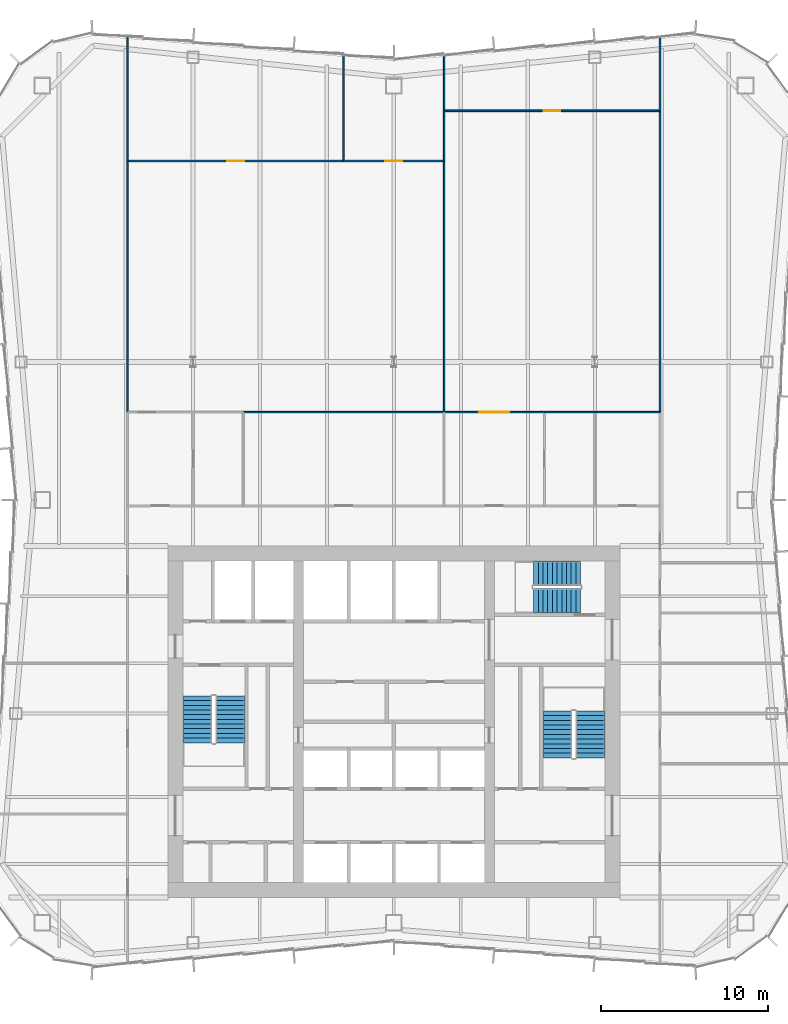
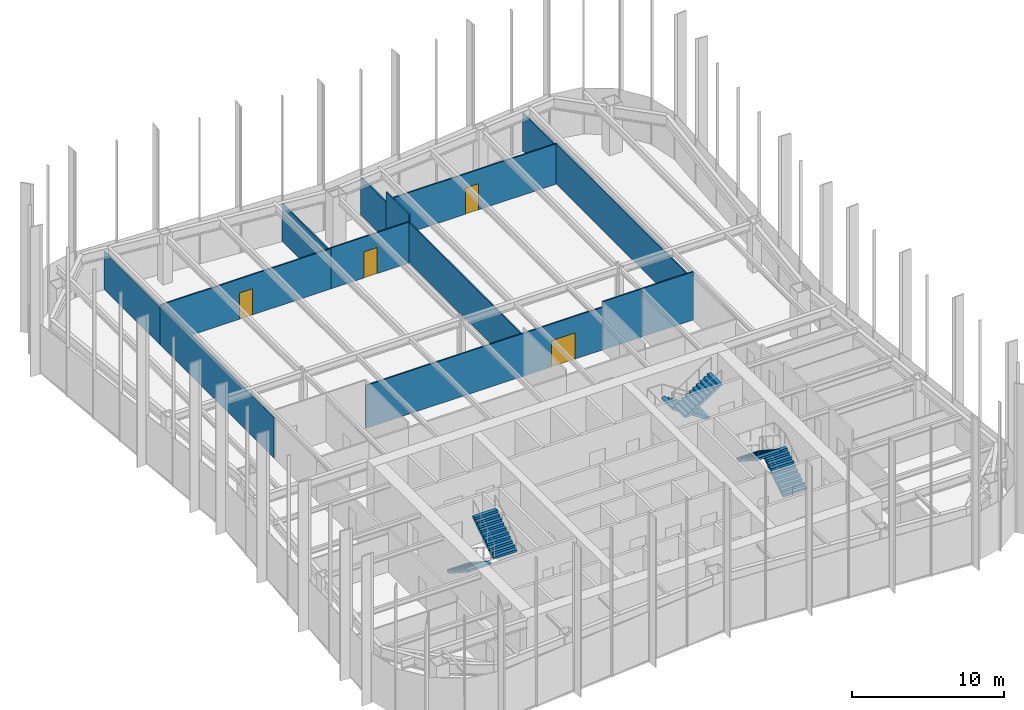
# One storey, part 12 of 13: 15 walls, 6 stair flights, 4 doors, 4 openings, 3 elements without a shape of their own.
"""IFC4 building model written with IfcOpenShell, lengths in metres."""

from ifc_helpers import new_model, si_unit, direction, frame, frame_2d, origin, place, context, subcontext, project, spatial, polyline, rectangle, outline, extrude, material, layer, layer_set, type_object, element, fill, aggregate, save


model = new_model("IFC4")

# Units and contexts
model_context = context("Model", 3, precision=1e-05, world=origin(), true_north=direction((0.0, 1.0)))
body_context = subcontext(model_context, "Body", "Model", "MODEL_VIEW")
ifc_project = project(units=[si_unit("LENGTHUNIT", "METRE"), si_unit("AREAUNIT", "SQUARE_METRE"), si_unit("VOLUMEUNIT", "CUBIC_METRE"), si_unit("PLANEANGLEUNIT", "RADIAN"), si_unit("MASSUNIT", "GRAM", prefix="KILO")], contexts=[model_context])

# Site, building, storey
site_placement = place(None, origin())
site = spatial("IfcSite", under=ifc_project, at=site_placement, CompositionType="ELEMENT")
building_placement = place(site_placement, origin())
building = spatial("IfcBuilding", under=site, at=building_placement, Name="Verdant Reach Tower", CompositionType="ELEMENT")
storey_placement = place(building_placement, frame((0.0, 0.0, 206.0)))
storey = spatial("IfcBuildingStorey", under=building, at=storey_placement, Name="L47", CompositionType="ELEMENT", Elevation=206.0)

# Wall
ifc_material_1 = material(Name="Gypsum board on steel studs", Category="steel")
ifc_layer = layer(ifc_material_1, 0.10009765625)
ifc_layer_set = layer_set([ifc_layer], Name="FL-W1 Partition 100")
wall_type = type_object("IfcWallType", Name="FL-W1 Partition 100", PredefinedType="PARTITIONING", material=ifc_layer_set)
wall_1_placement = place(storey_placement, frame((3.0, 46.5, 0.0), z_axis=(0.0, 0.0, 1.0), x_axis=(-1.0, 0.0, 0.0)))
element("IfcWall", 1, at=wall_1_placement, inside=storey, type_object=wall_type, Name="Partition 47.21", PredefinedType="PARTITIONING", context=body_context, shape_type="SweptSolid", body=[
    extrude(rectangle(XDim=12.00390625, YDim=0.10009765625, at=frame_2d((6.001953125, 0.0))), origin(), (0.0, 0.0, 1.0), 3.43994140625),
])

# Wall, opening, door
wall_2_placement = place(storey_placement, frame((-15.89990234375, 61.5, 0.0), z_axis=(0.0, 0.0, 1.0), x_axis=(1.0, 0.0, 0.0)))
wall_2 = element("IfcWall", 2, at=wall_2_placement, inside=storey, type_object=wall_type, Name="Partition 47.23", PredefinedType="PARTITIONING", context=body_context, shape_type="SweptSolid", body=[
    extrude(rectangle(XDim=12.89990234375, YDim=0.10009765625, at=frame_2d((6.449951171875, 0.0))), origin(), (0.0, 0.0, 1.0), 3.239990234375),
])
opening_1_placement = place(wall_2_placement, frame((5.949951171875, 0.0, 0.0)))
opening_1 = element("IfcOpeningElement", 3, at=opening_1_placement, cuts=wall_2, Name="Opening D3", PredefinedType="OPENING", context=body_context, shape_type="SweptSolid", body=[
    extrude(rectangle(XDim=1.0, YDim=2.10009765625, at=frame_2d((0.5, 1.050048828125))), frame((0.0, 0.06005859375, 0.0), z_axis=(0.0, -1.0, 0.0), x_axis=(1.0, 0.0, 0.0)), (0.0, 0.0, 1.0), 0.1201171875),
])
ifc_material_2 = material(Name="Painted timber door leaf", Category="wood")
door_type_1 = type_object("IfcDoorType", Name="FL-D3 Door 1000x2100", OperationType="NOTDEFINED", PredefinedType="DOOR", material=ifc_material_2)
door_1_placement = place(opening_1_placement, origin())
door_1 = element("IfcDoor", 4, at=door_1_placement, inside=storey, type_object=door_type_1, Name="Door 47-016", OperationType="SINGLE_SWING_RIGHT", OverallHeight=2.10009765625, OverallWidth=1.0, PredefinedType="DOOR", context=body_context, shape_type="SweptSolid", body=[
    extrude(rectangle(XDim=1.0, YDim=2.10009765625, at=frame_2d((0.5, 1.050048828125))), frame((0.0, 0.02490234375, 0.0), z_axis=(0.0, -1.0, 0.0), x_axis=(1.0, 0.0, 0.0)), (0.0, 0.0, 1.0), 0.050048828125),
])
fill(opening_1, door_1)

wall_3_placement = place(storey_placement, frame((-3.0, 61.5, 0.0), z_axis=(0.0, 0.0, 1.0), x_axis=(1.0, 0.0, 0.0)))
wall_3 = element("IfcWall", 5, at=wall_3_placement, inside=storey, type_object=wall_type, Name="Partition 47.24", PredefinedType="PARTITIONING", context=body_context, shape_type="SweptSolid", body=[
    extrude(rectangle(XDim=6.0, YDim=0.10009765625, at=frame_2d((3.0, 0.0))), origin(), (0.0, 0.0, 1.0), 3.2900390625),
])
opening_2_placement = place(wall_3_placement, frame((2.5, 0.0, 0.0)))
opening_2 = element("IfcOpeningElement", 6, at=opening_2_placement, cuts=wall_3, Name="Opening D3", PredefinedType="OPENING", context=body_context, shape_type="SweptSolid", body=[
    extrude(rectangle(XDim=1.0, YDim=2.10009765625, at=frame_2d((0.5, 1.050048828125))), frame((0.0, 0.06005859375, 0.0), z_axis=(0.0, -1.0, 0.0), x_axis=(1.0, 0.0, 0.0)), (0.0, 0.0, 1.0), 0.1201171875),
])
door_2_placement = place(opening_2_placement, origin())
door_2 = element("IfcDoor", 7, at=door_2_placement, inside=storey, type_object=door_type_1, Name="Door 47-017", OperationType="SINGLE_SWING_LEFT", OverallHeight=2.10009765625, OverallWidth=1.0, PredefinedType="DOOR", context=body_context, shape_type="SweptSolid", body=[
    extrude(rectangle(XDim=1.0, YDim=2.10009765625, at=frame_2d((0.5, 1.050048828125))), frame((0.0, 0.02490234375, 0.0), z_axis=(0.0, -1.0, 0.0), x_axis=(1.0, 0.0, 0.0)), (0.0, 0.0, 1.0), 0.050048828125),
])
fill(opening_2, door_2)

# Walls
wall_4_placement = place(storey_placement, frame((3.0, 46.5, 0.0), z_axis=(0.0, 0.0, 1.0), x_axis=(0.0, 1.0, 0.0)))
element("IfcWall", 8, at=wall_4_placement, inside=storey, type_object=wall_type, Name="Partition 47.25", PredefinedType="PARTITIONING", context=body_context, shape_type="SweptSolid", body=[
    extrude(rectangle(XDim=15.00390625, YDim=0.10009765625, at=frame_2d((7.501953125, 0.0))), origin(), (0.0, 0.0, 1.0), 3.239990234375),
])
wall_5_placement = place(storey_placement, frame((-15.89990234375, 61.50390625, 0.0), z_axis=(0.0, 0.0, 1.0), x_axis=(0.0, -1.0, 0.0)))
element("IfcWall", 9, at=wall_5_placement, inside=storey, type_object=wall_type, Name="Partition 47.26", PredefinedType="PARTITIONING", context=body_context, shape_type="SweptSolid", body=[
    extrude(rectangle(XDim=15.0078125, YDim=0.10009765625, at=frame_2d((7.50390625, 0.0))), origin(), (0.0, 0.0, 1.0), 3.239990234375),
])
wall_6_placement = place(storey_placement, frame((-3.0, 61.5, 0.0), z_axis=(0.0, 0.0, 1.0), x_axis=(0.0, 1.0, 0.0)))
element("IfcWall", 10, at=wall_6_placement, inside=storey, type_object=wall_type, Name="Partition 47.27", PredefinedType="PARTITIONING", context=body_context, shape_type="SweptSolid", body=[
    extrude(rectangle(XDim=6.330078125, YDim=0.10009765625, at=frame_2d((3.1650390625, 0.0))), origin(), (0.0, 0.0, 1.0), 3.0400390625),
])
wall_7_placement = place(storey_placement, frame((-15.89990234375, 68.905029296875, 0.0), z_axis=(0.0, 0.0, 1.0), x_axis=(0.0, -1.0, 0.0)))
element("IfcWall", 11, at=wall_7_placement, inside=storey, type_object=wall_type, Name="Partition 47.28", PredefinedType="PARTITIONING", context=body_context, shape_type="SweptSolid", body=[
    extrude(rectangle(XDim=7.408935546875, YDim=0.10009765625, at=frame_2d((3.70458984375, 0.0))), origin(), (0.0, 0.0, 1.0), 3.0400390625),
])
wall_8_placement = place(storey_placement, frame((3.0, 61.49609375, 0.0), z_axis=(0.0, 0.0, 1.0), x_axis=(0.0, 1.0, 0.0)))
element("IfcWall", 12, at=wall_8_placement, inside=storey, type_object=wall_type, Name="Partition 47.29", PredefinedType="PARTITIONING", context=body_context, shape_type="SweptSolid", body=[
    extrude(rectangle(XDim=3.00390625, YDim=0.10009765625, at=frame_2d((1.501953125, 0.0))), origin(), (0.0, 0.0, 1.0), 3.8701171875),
])
wall_9_placement = place(storey_placement, frame((3.0, 64.5, 0.0), z_axis=(0.0, 0.0, 1.0), x_axis=(0.0, 1.0, 0.0)))
element("IfcWall", 13, at=wall_9_placement, inside=storey, type_object=wall_type, Name="Partition 47.30", PredefinedType="PARTITIONING", context=body_context, shape_type="SweptSolid", body=[
    extrude(rectangle(XDim=3.330078125, YDim=0.10009765625, at=frame_2d((1.6650390625, 0.0))), origin(), (0.0, 0.0, 1.0), 3.0400390625),
])

# Wall, opening, door
wall_10_placement = place(storey_placement, frame((3.0, 46.5, 0.0), z_axis=(0.0, 0.0, 1.0), x_axis=(1.0, 0.0, 0.0)))
wall_10 = element("IfcWall", 14, at=wall_10_placement, inside=storey, type_object=wall_type, Name="Partition 47.32", PredefinedType="PARTITIONING", context=body_context, shape_type="SweptSolid", body=[
    extrude(rectangle(XDim=6.00390625, YDim=0.10009765625, at=frame_2d((3.001953125, 0.0))), origin(), (0.0, 0.0, 1.0), 3.43994140625),
])
opening_3_placement = place(wall_10_placement, frame((2.10205078125, 0.0, 0.0)))
opening_3 = element("IfcOpeningElement", 15, at=opening_3_placement, cuts=wall_10, Name="Opening D5", PredefinedType="OPENING", context=body_context, shape_type="SweptSolid", body=[
    extrude(rectangle(XDim=1.800048828125, YDim=2.10009765625, at=frame_2d((0.89990234375, 1.050048828125))), frame((0.0, 0.06005859375, 0.0), z_axis=(0.0, -1.0, 0.0), x_axis=(1.0, 0.0, 0.0)), (0.0, 0.0, 1.0), 0.1201171875),
])
ifc_material_3 = material(Name="Painted timber door leaves", Category="wood")
door_type_2 = type_object("IfcDoorType", Name="FL-D5 Double door 1800x2100", OperationType="DOUBLE_DOOR_SINGLE_SWING", PredefinedType="DOOR", material=ifc_material_3)
door_3_placement = place(opening_3_placement, origin())
door_3 = element("IfcDoor", 16, at=door_3_placement, inside=storey, type_object=door_type_2, Name="Door 47-019", OperationType="DOUBLE_DOOR_SINGLE_SWING", OverallHeight=2.10009765625, OverallWidth=1.800048828125, PredefinedType="DOOR", context=body_context, shape_type="SweptSolid", body=[
    extrude(rectangle(XDim=1.800048828125, YDim=2.10009765625, at=frame_2d((0.89990234375, 1.050048828125))), frame((0.0, 0.02490234375, 0.0), z_axis=(0.0, -1.0, 0.0), x_axis=(1.0, 0.0, 0.0)), (0.0, 0.0, 1.0), 0.050048828125),
])
fill(opening_3, door_3)

# Walls
wall_11_placement = place(storey_placement, frame((12.00390625, 46.5, 0.0), z_axis=(0.0, 0.0, 1.0), x_axis=(-1.0, 0.0, 0.0)))
element("IfcWall", 17, at=wall_11_placement, inside=storey, type_object=wall_type, Name="Partition 47.34", PredefinedType="PARTITIONING", context=body_context, shape_type="SweptSolid", body=[
    extrude(rectangle(XDim=3.0078125, YDim=0.10009765625, at=frame_2d((1.50390625, 0.0))), origin(), (0.0, 0.0, 1.0), 3.8701171875),
])
wall_12_placement = place(storey_placement, frame((15.89990234375, 46.5, 0.0), z_axis=(0.0, 0.0, 1.0), x_axis=(-1.0, 0.0, 0.0)))
element("IfcWall", 18, at=wall_12_placement, inside=storey, type_object=wall_type, Name="Partition 47.35", PredefinedType="PARTITIONING", context=body_context, shape_type="SweptSolid", body=[
    extrude(rectangle(XDim=3.90380859375, YDim=0.10009765625, at=frame_2d((1.951904296875, 0.0))), origin(), (0.0, 0.0, 1.0), 3.8701171875),
])

# Wall, opening, door
wall_13_placement = place(storey_placement, frame((3.0, 64.5, 0.0), z_axis=(0.0, 0.0, 1.0), x_axis=(1.0, 0.0, 0.0)))
wall_13 = element("IfcWall", 19, at=wall_13_placement, inside=storey, type_object=wall_type, Name="Partition 47.37", PredefinedType="PARTITIONING", context=body_context, shape_type="SweptSolid", body=[
    extrude(rectangle(XDim=12.89990234375, YDim=0.10009765625, at=frame_2d((6.449951171875, 0.0))), origin(), (0.0, 0.0, 1.0), 3.239990234375),
])
opening_4_placement = place(wall_13_placement, frame((5.949951171875, 0.0, 0.0)))
opening_4 = element("IfcOpeningElement", 20, at=opening_4_placement, cuts=wall_13, Name="Opening D3", PredefinedType="OPENING", context=body_context, shape_type="SweptSolid", body=[
    extrude(rectangle(XDim=1.0, YDim=2.10009765625, at=frame_2d((0.5, 1.050048828125))), frame((0.0, 0.06005859375, 0.0), z_axis=(0.0, -1.0, 0.0), x_axis=(1.0, 0.0, 0.0)), (0.0, 0.0, 1.0), 0.1201171875),
])
door_4_placement = place(opening_4_placement, origin())
door_4 = element("IfcDoor", 21, at=door_4_placement, inside=storey, type_object=door_type_1, Name="Door 47-020", OperationType="SINGLE_SWING_RIGHT", OverallHeight=2.10009765625, OverallWidth=1.0, PredefinedType="DOOR", context=body_context, shape_type="SweptSolid", body=[
    extrude(rectangle(XDim=1.0, YDim=2.10009765625, at=frame_2d((0.5, 1.050048828125))), frame((0.0, 0.02490234375, 0.0), z_axis=(0.0, -1.0, 0.0), x_axis=(1.0, 0.0, 0.0)), (0.0, 0.0, 1.0), 0.050048828125),
])
fill(opening_4, door_4)

# Walls
wall_14_placement = place(storey_placement, frame((15.89990234375, 46.49609375, 0.0), z_axis=(0.0, 0.0, 1.0), x_axis=(0.0, 1.0, 0.0)))
element("IfcWall", 22, at=wall_14_placement, inside=storey, type_object=wall_type, Name="Partition 47.38", PredefinedType="PARTITIONING", context=body_context, shape_type="SweptSolid", body=[
    extrude(rectangle(XDim=18.0078125, YDim=0.10009765625, at=frame_2d((9.00390625, 0.0))), origin(), (0.0, 0.0, 1.0), 3.239990234375),
])
wall_15_placement = place(storey_placement, frame((15.89990234375, 64.49609375, 0.0), z_axis=(0.0, 0.0, 1.0), x_axis=(0.0, 1.0, 0.0)))
element("IfcWall", 23, at=wall_15_placement, inside=storey, type_object=wall_type, Name="Partition 47.39", PredefinedType="PARTITIONING", context=body_context, shape_type="SweptSolid", body=[
    extrude(rectangle(XDim=4.408935546875, YDim=0.10009765625, at=frame_2d((2.20458984375, 0.0))), origin(), (0.0, 0.0, 1.0), 3.0400390625),
])

# Stair, stair flights
ifc_material_4 = material(Name="Concrete C40/50", Category="concrete")
stair_type = type_object("IfcStairType", Name="CO-STAIR", PredefinedType="HALF_TURN_STAIR", material=ifc_material_4)
stair_1_placement = place(storey_placement, origin())
stair_1 = element("IfcStair", 24, at=stair_1_placement, inside=storey, type_object=stair_type, Name="L47 Exit stair 1", PredefinedType="HALF_TURN_STAIR")
stair_flight_type = type_object("IfcStairFlightType", Name="CO-STAIR-FLIGHT", PredefinedType="STRAIGHT", material=ifc_material_4)
stair_flight_1_placement = place(storey_placement, frame((-11.72509765625, 29.550048828125, 0.0), z_axis=(0.0, 0.0, 1.0), x_axis=(0.0, -1.0, 0.0)))
stair_flight_1 = element("IfcStairFlight", 25, at=stair_flight_1_placement, type_object=stair_flight_type, Name="ST-1 flight 1", NumberOfRisers=11, NumberOfTreads=10, PredefinedType="STRAIGHT", RiserHeight=0.181818182, TreadLength=0.28, context=body_context, shape_type="SweptSolid", body=[
    extrude(outline(polyline([(0.0, 0.0), (0.0, 0.181884765625), (0.280029296875, 0.181884765625), (0.280029296875, 0.363525390625), (0.56005859375, 0.363525390625), (0.56005859375, 0.54541015625), (0.840087890625, 0.54541015625), (0.840087890625, 0.727294921875), (1.1201171875, 0.727294921875), (1.1201171875, 0.9091796875), (1.39990234375, 0.9091796875), (1.39990234375, 1.0908203125), (1.679931640625, 1.0908203125), (1.679931640625, 1.272705078125), (1.9599609375, 1.272705078125), (1.9599609375, 1.45458984375), (2.239990234375, 1.45458984375), (2.239990234375, 1.636474609375), (2.52001953125, 1.636474609375), (2.52001953125, 1.818115234375), (2.800048828125, 1.818115234375), (2.800048828125, 2.0), (2.800048828125, 1.639404296875), (0.275146484375, 0.0), (0.0, 0.0)])), frame((0.0, 0.875, 0.0), z_axis=(0.0, -1.0, 0.0), x_axis=(1.0, 0.0, 0.0)), (0.0, 0.0, 1.0), 1.75),
])
stair_flight_2_placement = place(storey_placement, frame((-9.77490234375, 26.75, 2.0), z_axis=(0.0, 0.0, 1.0), x_axis=(0.0, 1.0, 0.0)))
stair_flight_2 = element("IfcStairFlight", 26, at=stair_flight_2_placement, type_object=stair_flight_type, Name="ST-1 flight 2", NumberOfRisers=11, NumberOfTreads=10, PredefinedType="STRAIGHT", RiserHeight=0.181818182, TreadLength=0.28, context=body_context, shape_type="SweptSolid", body=[
    extrude(outline(polyline([(0.0, 0.0), (0.0, 0.181884765625), (0.280029296875, 0.181884765625), (0.280029296875, 0.363525390625), (0.56005859375, 0.363525390625), (0.56005859375, 0.54541015625), (0.840087890625, 0.54541015625), (0.840087890625, 0.727294921875), (1.1201171875, 0.727294921875), (1.1201171875, 0.9091796875), (1.39990234375, 0.9091796875), (1.39990234375, 1.0908203125), (1.679931640625, 1.0908203125), (1.679931640625, 1.272705078125), (1.9599609375, 1.272705078125), (1.9599609375, 1.45458984375), (2.239990234375, 1.45458984375), (2.239990234375, 1.636474609375), (2.52001953125, 1.636474609375), (2.52001953125, 1.818115234375), (2.800048828125, 1.818115234375), (2.800048828125, 2.0), (2.800048828125, 1.639404296875), (0.275146484375, 0.0), (0.0, 0.0)])), frame((0.0, 0.875, 0.0), z_axis=(0.0, -1.0, 0.0), x_axis=(1.0, 0.0, 0.0)), (0.0, 0.0, 1.0), 1.75),
])
aggregate(stair_1, [stair_flight_1, stair_flight_2])

stair_2_placement = place(storey_placement, origin())
stair_2 = element("IfcStair", 27, at=stair_2_placement, inside=storey, type_object=stair_type, Name="L47 Exit stair 2", PredefinedType="HALF_TURN_STAIR")
stair_flight_3_placement = place(storey_placement, frame((11.72509765625, 25.85009765625, 0.0), z_axis=(0.0, 0.0, 1.0), x_axis=(0.0, 1.0, 0.0)))
stair_flight_3 = element("IfcStairFlight", 28, at=stair_flight_3_placement, type_object=stair_flight_type, Name="ST-2 flight 1", NumberOfRisers=11, NumberOfTreads=10, PredefinedType="STRAIGHT", RiserHeight=0.181818182, TreadLength=0.28, context=body_context, shape_type="SweptSolid", body=[
    extrude(outline(polyline([(0.0, 0.0), (0.0, 0.181884765625), (0.280029296875, 0.181884765625), (0.280029296875, 0.363525390625), (0.56005859375, 0.363525390625), (0.56005859375, 0.54541015625), (0.840087890625, 0.54541015625), (0.840087890625, 0.727294921875), (1.1201171875, 0.727294921875), (1.1201171875, 0.9091796875), (1.39990234375, 0.9091796875), (1.39990234375, 1.0908203125), (1.679931640625, 1.0908203125), (1.679931640625, 1.272705078125), (1.9599609375, 1.272705078125), (1.9599609375, 1.45458984375), (2.239990234375, 1.45458984375), (2.239990234375, 1.636474609375), (2.52001953125, 1.636474609375), (2.52001953125, 1.818115234375), (2.800048828125, 1.818115234375), (2.800048828125, 2.0), (2.800048828125, 1.639404296875), (0.275146484375, 0.0), (0.0, 0.0)])), frame((0.0, 0.875, 0.0), z_axis=(0.0, -1.0, 0.0), x_axis=(1.0, 0.0, 0.0)), (0.0, 0.0, 1.0), 1.75),
])
stair_flight_4_placement = place(storey_placement, frame((9.77490234375, 28.64990234375, 2.0), z_axis=(0.0, 0.0, 1.0), x_axis=(0.0, -1.0, 0.0)))
stair_flight_4 = element("IfcStairFlight", 29, at=stair_flight_4_placement, type_object=stair_flight_type, Name="ST-2 flight 2", NumberOfRisers=11, NumberOfTreads=10, PredefinedType="STRAIGHT", RiserHeight=0.181818182, TreadLength=0.28, context=body_context, shape_type="SweptSolid", body=[
    extrude(outline(polyline([(0.0, 0.0), (0.0, 0.181884765625), (0.280029296875, 0.181884765625), (0.280029296875, 0.363525390625), (0.56005859375, 0.363525390625), (0.56005859375, 0.54541015625), (0.840087890625, 0.54541015625), (0.840087890625, 0.727294921875), (1.1201171875, 0.727294921875), (1.1201171875, 0.9091796875), (1.39990234375, 0.9091796875), (1.39990234375, 1.0908203125), (1.679931640625, 1.0908203125), (1.679931640625, 1.272705078125), (1.9599609375, 1.272705078125), (1.9599609375, 1.45458984375), (2.239990234375, 1.45458984375), (2.239990234375, 1.636474609375), (2.52001953125, 1.636474609375), (2.52001953125, 1.818115234375), (2.800048828125, 1.818115234375), (2.800048828125, 2.0), (2.800048828125, 1.639404296875), (0.275146484375, 0.0), (0.0, 0.0)])), frame((0.0, 0.875, 0.0), z_axis=(0.0, -1.0, 0.0), x_axis=(1.0, 0.0, 0.0)), (0.0, 0.0, 1.0), 1.75),
])
aggregate(stair_2, [stair_flight_3, stair_flight_4])

stair_3_placement = place(storey_placement, origin())
stair_3 = element("IfcStair", 30, at=stair_3_placement, inside=storey, type_object=stair_type, Name="L47 Exit stair 3", PredefinedType="HALF_TURN_STAIR")
stair_flight_5_placement = place(storey_placement, frame((11.14990234375, 36.875, 0.0), z_axis=(0.0, 0.0, 1.0), x_axis=(-1.0, 0.0, 0.0)))
stair_flight_5 = element("IfcStairFlight", 31, at=stair_flight_5_placement, type_object=stair_flight_type, Name="ST-3 flight 1", NumberOfRisers=11, NumberOfTreads=10, PredefinedType="STRAIGHT", RiserHeight=0.181818182, TreadLength=0.28, context=body_context, shape_type="SweptSolid", body=[
    extrude(outline(polyline([(0.0, 0.0), (0.0, 0.181884765625), (0.280029296875, 0.181884765625), (0.280029296875, 0.363525390625), (0.56005859375, 0.363525390625), (0.56005859375, 0.54541015625), (0.840087890625, 0.54541015625), (0.840087890625, 0.727294921875), (1.1201171875, 0.727294921875), (1.1201171875, 0.9091796875), (1.39990234375, 0.9091796875), (1.39990234375, 1.0908203125), (1.679931640625, 1.0908203125), (1.679931640625, 1.272705078125), (1.9599609375, 1.272705078125), (1.9599609375, 1.45458984375), (2.239990234375, 1.45458984375), (2.239990234375, 1.636474609375), (2.52001953125, 1.636474609375), (2.52001953125, 1.818115234375), (2.800048828125, 1.818115234375), (2.800048828125, 2.0), (2.800048828125, 1.639404296875), (0.275146484375, 0.0), (0.0, 0.0)])), frame((0.0, 0.72509765625, 0.0), z_axis=(0.0, -1.0, 0.0), x_axis=(1.0, 0.0, 0.0)), (0.0, 0.0, 1.0), 1.449951171875),
])
stair_flight_6_placement = place(storey_placement, frame((8.35009765625, 35.22509765625, 2.0), z_axis=(0.0, 0.0, 1.0), x_axis=(1.0, 0.0, 0.0)))
stair_flight_6 = element("IfcStairFlight", 32, at=stair_flight_6_placement, type_object=stair_flight_type, Name="ST-3 flight 2", NumberOfRisers=11, NumberOfTreads=10, PredefinedType="STRAIGHT", RiserHeight=0.181818182, TreadLength=0.28, context=body_context, shape_type="SweptSolid", body=[
    extrude(outline(polyline([(0.0, 0.0), (0.0, 0.181884765625), (0.280029296875, 0.181884765625), (0.280029296875, 0.363525390625), (0.56005859375, 0.363525390625), (0.56005859375, 0.54541015625), (0.840087890625, 0.54541015625), (0.840087890625, 0.727294921875), (1.1201171875, 0.727294921875), (1.1201171875, 0.9091796875), (1.39990234375, 0.9091796875), (1.39990234375, 1.0908203125), (1.679931640625, 1.0908203125), (1.679931640625, 1.272705078125), (1.9599609375, 1.272705078125), (1.9599609375, 1.45458984375), (2.239990234375, 1.45458984375), (2.239990234375, 1.636474609375), (2.52001953125, 1.636474609375), (2.52001953125, 1.818115234375), (2.800048828125, 1.818115234375), (2.800048828125, 2.0), (2.800048828125, 1.639404296875), (0.275146484375, 0.0), (0.0, 0.0)])), frame((0.0, 0.72509765625, 0.0), z_axis=(0.0, -1.0, 0.0), x_axis=(1.0, 0.0, 0.0)), (0.0, 0.0, 1.0), 1.449951171875),
])
aggregate(stair_3, [stair_flight_5, stair_flight_6])

save(model, "model.ifc")
